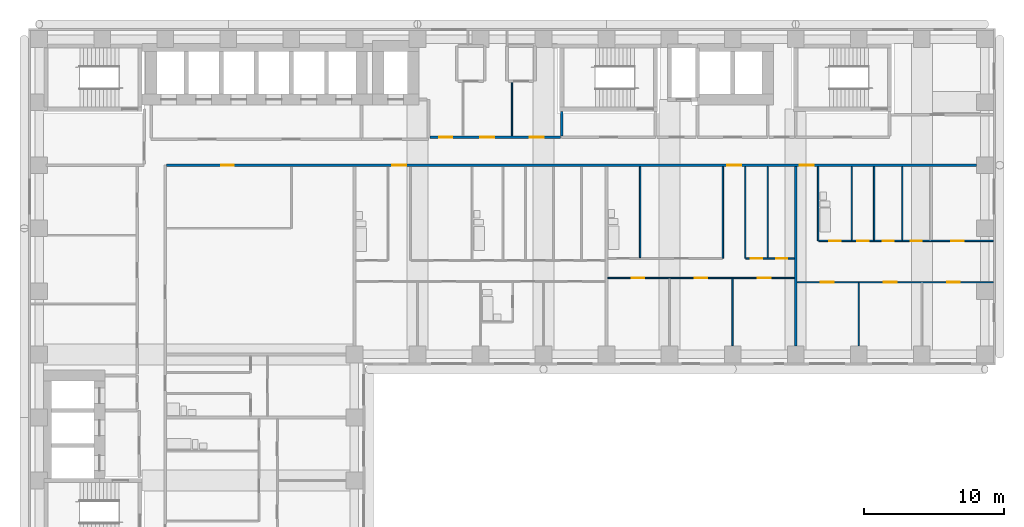
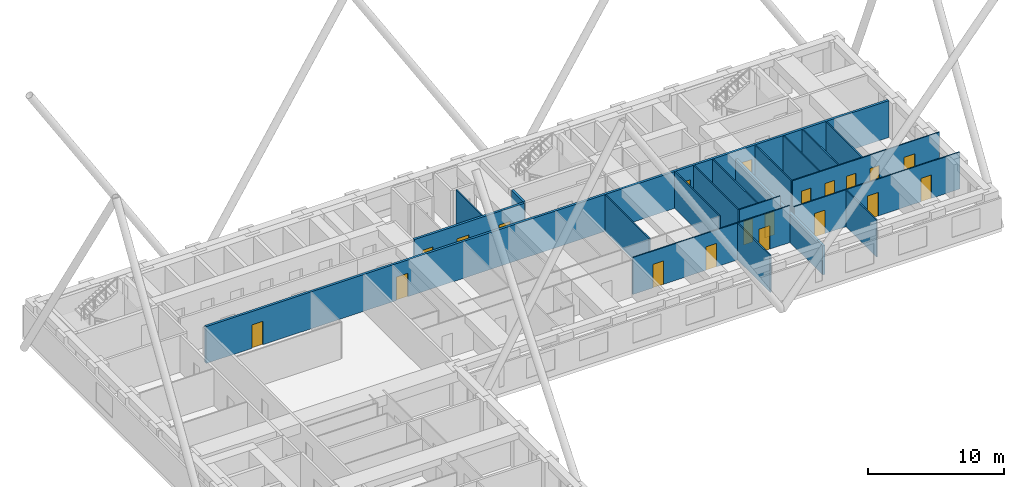
# One storey, part 8 of 13: 20 doors, 19 walls, 20 openings.
"""IFC4 building model written with IfcOpenShell, lengths in metres."""

from ifc_helpers import new_model, si_unit, direction, frame, frame_2d, origin, place, context, subcontext, project, spatial, rectangle, extrude, material, layer, layer_set, type_object, element, fill, save


model = new_model("IFC4")

# Units and contexts
model_context = context("Model", 3, precision=1e-05, world=origin(), true_north=direction((0.0, 1.0)))
body_context = subcontext(model_context, "Body", "Model", "MODEL_VIEW")
ifc_project = project(units=[si_unit("LENGTHUNIT", "METRE"), si_unit("AREAUNIT", "SQUARE_METRE"), si_unit("VOLUMEUNIT", "CUBIC_METRE"), si_unit("PLANEANGLEUNIT", "RADIAN"), si_unit("MASSUNIT", "GRAM", prefix="KILO")], contexts=[model_context])

# Site, building, storey
site_placement = place(None, origin())
site = spatial("IfcSite", under=ifc_project, at=site_placement, CompositionType="ELEMENT")
building_placement = place(site_placement, origin())
building = spatial("IfcBuilding", under=site, at=building_placement, Name="Firuza Court", CompositionType="ELEMENT")
storey_placement = place(building_placement, frame((0.0, 0.0, 50.60009765625)))
storey = spatial("IfcBuildingStorey", under=building, at=storey_placement, Name="L11", CompositionType="ELEMENT", Elevation=50.60009765625)

# Walls
ifc_material_1 = material(Name="Moisture-resistant gypsum board partition")
ifc_layer_1 = layer(ifc_material_1, 0.10009765625)
ifc_layer_set_1 = layer_set([ifc_layer_1], Name="Moisture-resistant gypsum board partition")
wall_type_1 = type_object("IfcWallType", Name="Bathroom partition 100", PredefinedType="PLUMBINGWALL", material=ifc_layer_set_1)
wall_1_placement = place(storey_placement, frame((42.89990234375, 42.89990234375, 0.0), z_axis=(0.0, 0.0, 1.0), x_axis=(0.0, 1.0, 0.0)))
element("IfcWall", 1, at=wall_1_placement, inside=storey, type_object=wall_type_1, Name="Bathroom partition 100 L11", PredefinedType="PLUMBINGWALL", context=body_context, shape_type="SweptSolid", body=[
    extrude(rectangle(XDim=6.5, YDim=0.10009765625, at=frame_2d((3.25, 0.0))), origin(), (0.0, 0.0, 1.0), 3.2998046875),
])
wall_2_placement = place(storey_placement, frame((55.60009765625, 44.10009765625, 0.0), z_axis=(0.0, 0.0, 1.0), x_axis=(0.0, 1.0, 0.0)))
element("IfcWall", 2, at=wall_2_placement, inside=storey, type_object=wall_type_1, Name="Bathroom partition 100 L11", PredefinedType="PLUMBINGWALL", context=body_context, shape_type="SweptSolid", body=[
    extrude(rectangle(XDim=5.2998046875, YDim=0.10009765625, at=frame_2d((2.64990234375, 0.0))), origin(), (0.0, 0.0, 1.0), 3.2998046875),
])
wall_3_placement = place(storey_placement, frame((58.0, 44.14990234375, 0.0), z_axis=(0.0, 0.0, 1.0), x_axis=(0.0, 1.0, 0.0)))
element("IfcWall", 3, at=wall_3_placement, inside=storey, type_object=wall_type_1, Name="Bathroom partition 100 L11", PredefinedType="PLUMBINGWALL", context=body_context, shape_type="SweptSolid", body=[
    extrude(rectangle(XDim=5.25, YDim=0.10009765625, at=frame_2d((2.625, 0.0))), origin(), (0.0, 0.0, 1.0), 3.2998046875),
])

# Wall, openings, doors
ifc_material_2 = material(Name="Blockwork, plastered both sides", Category="masonry")
ifc_layer_2 = layer(ifc_material_2, 0.199951171875)
ifc_layer_set_2 = layer_set([ifc_layer_2], Name="Blockwork, plastered both sides")
wall_type_2 = type_object("IfcWallType", Name="Corridor wall 200", PredefinedType="PARTITIONING", material=ifc_layer_set_2)
wall_4_placement = place(storey_placement, frame((9.10009765625, 49.5, 0.0), z_axis=(0.0, 0.0, 1.0), x_axis=(1.0, 0.0, 0.0)))
wall_4 = element("IfcWall", 4, at=wall_4_placement, inside=storey, type_object=wall_type_2, Name="Corridor wall 200 L11", PredefinedType="PARTITIONING", context=body_context, shape_type="SweptSolid", body=[
    extrude(rectangle(XDim=57.7998046875, YDim=0.199951171875, at=frame_2d((28.89990234375, 0.0))), origin(), (0.0, 0.0, 1.0), 3.2998046875),
])
opening_1_placement = place(wall_4_placement, frame((16.10009765625, 0.0, 0.0)))
opening_1 = element("IfcOpeningElement", 5, at=opening_1_placement, cuts=wall_4, Name="Opening D11070", PredefinedType="OPENING", context=body_context, shape_type="SweptSolid", body=[
    extrude(rectangle(XDim=1.0, YDim=2.10009765625, at=frame_2d((0.5, 1.050048828125))), frame((0.0, 0.11181640625, 0.0), z_axis=(0.0, -1.0, 0.0), x_axis=(1.0, 0.0, 0.0)), (0.0, 0.0, 1.0), 0.223876953125),
])
opening_2_placement = place(wall_4_placement, frame((40.0, 0.0, 0.0)))
opening_2 = element("IfcOpeningElement", 6, at=opening_2_placement, cuts=wall_4, Name="Opening D11071", PredefinedType="OPENING", context=body_context, shape_type="SweptSolid", body=[
    extrude(rectangle(XDim=1.0, YDim=2.10009765625, at=frame_2d((0.5, 1.050048828125))), frame((0.0, 0.11181640625, 0.0), z_axis=(0.0, -1.0, 0.0), x_axis=(1.0, 0.0, 0.0)), (0.0, 0.0, 1.0), 0.223876953125),
])
opening_3_placement = place(wall_4_placement, frame((45.199951171875, 0.0, 0.0)))
opening_3 = element("IfcOpeningElement", 7, at=opening_3_placement, cuts=wall_4, Name="Opening D11072", PredefinedType="OPENING", context=body_context, shape_type="SweptSolid", body=[
    extrude(rectangle(XDim=1.0, YDim=2.10009765625, at=frame_2d((0.5, 1.050048828125))), frame((0.0, 0.11181640625, 0.0), z_axis=(0.0, -1.0, 0.0), x_axis=(1.0, 0.0, 0.0)), (0.0, 0.0, 1.0), 0.223876953125),
])
opening_4_placement = place(wall_4_placement, frame((3.89990234375, 0.0, 0.0)))
opening_4 = element("IfcOpeningElement", 8, at=opening_4_placement, cuts=wall_4, Name="Opening D11073", PredefinedType="OPENING", context=body_context, shape_type="SweptSolid", body=[
    extrude(rectangle(XDim=0.89990234375, YDim=2.10009765625, at=frame_2d((0.449951171875, 1.050048828125))), frame((0.0, 0.11181640625, 0.0), z_axis=(0.0, -1.0, 0.0), x_axis=(1.0, 0.0, 0.0)), (0.0, 0.0, 1.0), 0.223876953125),
])
ifc_material_3 = material(Name="Timber door leaf in hardwood frame", Category="wood")
door_type_1 = type_object("IfcDoorType", Name="Flat entrance door 1000", OperationType="SINGLE_SWING_LEFT", PredefinedType="DOOR", material=ifc_material_3)
door_1_placement = place(opening_1_placement, origin())
door_1 = element("IfcDoor", 9, at=door_1_placement, inside=storey, type_object=door_type_1, Name="Flat entrance door", OperationType="SINGLE_SWING_LEFT", OverallHeight=2.10009765625, OverallWidth=1.0, PredefinedType="DOOR", context=body_context, shape_type="SweptSolid", body=[
    extrude(rectangle(XDim=1.0, YDim=2.10009765625, at=frame_2d((0.5, 1.050048828125))), frame((0.0, 0.02490234375, 0.0), z_axis=(0.0, -1.0, 0.0), x_axis=(1.0, 0.0, 0.0)), (0.0, 0.0, 1.0), 0.050048828125),
])
fill(opening_1, door_1)
door_2_placement = place(opening_2_placement, origin())
door_2 = element("IfcDoor", 10, at=door_2_placement, inside=storey, type_object=door_type_1, Name="Flat entrance door", OperationType="SINGLE_SWING_LEFT", OverallHeight=2.10009765625, OverallWidth=1.0, PredefinedType="DOOR", context=body_context, shape_type="SweptSolid", body=[
    extrude(rectangle(XDim=1.0, YDim=2.10009765625, at=frame_2d((0.5, 1.050048828125))), frame((0.0, 0.02490234375, 0.0), z_axis=(0.0, -1.0, 0.0), x_axis=(1.0, 0.0, 0.0)), (0.0, 0.0, 1.0), 0.050048828125),
])
fill(opening_2, door_2)
door_3_placement = place(opening_3_placement, origin())
door_3 = element("IfcDoor", 11, at=door_3_placement, inside=storey, type_object=door_type_1, Name="Flat entrance door", OperationType="SINGLE_SWING_LEFT", OverallHeight=2.10009765625, OverallWidth=1.0, PredefinedType="DOOR", context=body_context, shape_type="SweptSolid", body=[
    extrude(rectangle(XDim=1.0, YDim=2.10009765625, at=frame_2d((0.5, 1.050048828125))), frame((0.0, 0.02490234375, 0.0), z_axis=(0.0, -1.0, 0.0), x_axis=(1.0, 0.0, 0.0)), (0.0, 0.0, 1.0), 0.050048828125),
])
fill(opening_3, door_3)
ifc_material_4 = material(Name="Timber door leaf in hardwood frame", Category="wood")
door_type_2 = type_object("IfcDoorType", Name="Room door 900 EI 30", OperationType="SINGLE_SWING_LEFT", PredefinedType="DOOR", material=ifc_material_4)
door_4_placement = place(opening_4_placement, origin())
door_4 = element("IfcDoor", 12, at=door_4_placement, inside=storey, type_object=door_type_2, Name="Fitness studio door", OperationType="SINGLE_SWING_LEFT", OverallHeight=2.10009765625, OverallWidth=0.89990234375, PredefinedType="DOOR", context=body_context, shape_type="SweptSolid", body=[
    extrude(rectangle(XDim=0.89990234375, YDim=2.10009765625, at=frame_2d((0.449951171875, 1.050048828125))), frame((0.0, 0.02490234375, 0.0), z_axis=(0.0, -1.0, 0.0), x_axis=(1.0, 0.0, 0.0)), (0.0, 0.0, 1.0), 0.050048828125),
])
fill(opening_4, door_4)

wall_5_placement = place(storey_placement, frame((27.89990234375, 51.5, 0.0), z_axis=(0.0, 0.0, 1.0), x_axis=(1.0, 0.0, 0.0)))
wall_5 = element("IfcWall", 13, at=wall_5_placement, inside=storey, type_object=wall_type_2, Name="Corridor wall 200 L11", PredefinedType="PARTITIONING", context=body_context, shape_type="SweptSolid", body=[
    extrude(rectangle(XDim=9.300048828125, YDim=0.199951171875, at=frame_2d((4.64990234375, 0.0))), origin(), (0.0, 0.0, 1.0), 3.2998046875),
])
opening_5_placement = place(wall_5_placement, frame((0.675048828125, 0.0, 0.0)))
opening_5 = element("IfcOpeningElement", 14, at=opening_5_placement, cuts=wall_5, Name="Opening D11074", PredefinedType="OPENING", context=body_context, shape_type="SweptSolid", body=[
    extrude(rectangle(XDim=0.89990234375, YDim=2.10009765625, at=frame_2d((0.449951171875, 1.050048828125))), frame((0.0, 0.11181640625, 0.0), z_axis=(0.0, -1.0, 0.0), x_axis=(1.0, 0.0, 0.0)), (0.0, 0.0, 1.0), 0.223876953125),
])
opening_6_placement = place(wall_5_placement, frame((3.60009765625, 0.0, 0.0)))
opening_6 = element("IfcOpeningElement", 15, at=opening_6_placement, cuts=wall_5, Name="Opening D11075", PredefinedType="OPENING", context=body_context, shape_type="SweptSolid", body=[
    extrude(rectangle(XDim=1.0, YDim=2.10009765625, at=frame_2d((0.5, 1.050048828125))), frame((0.0, 0.11181640625, 0.0), z_axis=(0.0, -1.0, 0.0), x_axis=(1.0, 0.0, 0.0)), (0.0, 0.0, 1.0), 0.223876953125),
])
opening_7_placement = place(wall_5_placement, frame((7.125, 0.0, 0.0)))
opening_7 = element("IfcOpeningElement", 16, at=opening_7_placement, cuts=wall_5, Name="Opening D11076", PredefinedType="OPENING", context=body_context, shape_type="SweptSolid", body=[
    extrude(rectangle(XDim=1.0, YDim=2.10009765625, at=frame_2d((0.5, 1.050048828125))), frame((0.0, 0.11181640625, 0.0), z_axis=(0.0, -1.0, 0.0), x_axis=(1.0, 0.0, 0.0)), (0.0, 0.0, 1.0), 0.223876953125),
])
door_5_placement = place(opening_5_placement, origin())
door_5 = element("IfcDoor", 17, at=door_5_placement, inside=storey, type_object=door_type_2, Name="Residents' workroom door", OperationType="SINGLE_SWING_LEFT", OverallHeight=2.10009765625, OverallWidth=0.89990234375, PredefinedType="DOOR", context=body_context, shape_type="SweptSolid", body=[
    extrude(rectangle(XDim=0.89990234375, YDim=2.10009765625, at=frame_2d((0.449951171875, 1.050048828125))), frame((0.0, 0.02490234375, 0.0), z_axis=(0.0, -1.0, 0.0), x_axis=(1.0, 0.0, 0.0)), (0.0, 0.0, 1.0), 0.050048828125),
])
fill(opening_5, door_5)
ifc_material_5 = material(Name="Timber door leaf in hardwood frame", Category="wood")
door_type_3 = type_object("IfcDoorType", Name="Store door 1000", OperationType="SINGLE_SWING_LEFT", PredefinedType="DOOR", material=ifc_material_5)
door_6_placement = place(opening_6_placement, origin())
door_6 = element("IfcDoor", 18, at=door_6_placement, inside=storey, type_object=door_type_3, Name="Refuse store door", OperationType="SINGLE_SWING_LEFT", OverallHeight=2.10009765625, OverallWidth=1.0, PredefinedType="DOOR", context=body_context, shape_type="SweptSolid", body=[
    extrude(rectangle(XDim=1.0, YDim=2.10009765625, at=frame_2d((0.5, 1.050048828125))), frame((0.0, 0.02490234375, 0.0), z_axis=(0.0, -1.0, 0.0), x_axis=(1.0, 0.0, 0.0)), (0.0, 0.0, 1.0), 0.050048828125),
])
fill(opening_6, door_6)
door_7_placement = place(opening_7_placement, origin())
door_7 = element("IfcDoor", 19, at=door_7_placement, inside=storey, type_object=door_type_3, Name="Cleaner's store door", OperationType="SINGLE_SWING_LEFT", OverallHeight=2.10009765625, OverallWidth=1.0, PredefinedType="DOOR", context=body_context, shape_type="SweptSolid", body=[
    extrude(rectangle(XDim=1.0, YDim=2.10009765625, at=frame_2d((0.5, 1.050048828125))), frame((0.0, 0.02490234375, 0.0), z_axis=(0.0, -1.0, 0.0), x_axis=(1.0, 0.0, 0.0)), (0.0, 0.0, 1.0), 0.050048828125),
])
fill(opening_7, door_7)

# Walls
ifc_material_6 = material(Name="Timber stud partition, plasterboard both sides", Category="wood")
ifc_layer_3 = layer(ifc_material_6, 0.10009765625)
ifc_layer_set_3 = layer_set([ifc_layer_3], Name="Timber stud partition, plasterboard both sides")
wall_type_3 = type_object("IfcWallType", Name="Partition wall 100", PredefinedType="PARTITIONING", material=ifc_layer_set_3)
wall_6_placement = place(storey_placement, frame((49.5, 36.60009765625, 0.0), z_axis=(0.0, 0.0, 1.0), x_axis=(0.0, 1.0, 0.0)))
element("IfcWall", 20, at=wall_6_placement, inside=storey, type_object=wall_type_3, Name="Partition wall 100 L11", PredefinedType="PARTITIONING", context=body_context, shape_type="SweptSolid", body=[
    extrude(rectangle(XDim=4.7998046875, YDim=0.10009765625, at=frame_2d((2.39990234375, 0.0))), origin(), (0.0, 0.0, 1.0), 3.2998046875),
])
wall_7_placement = place(storey_placement, frame((58.5, 36.60009765625, 0.0), z_axis=(0.0, 0.0, 1.0), x_axis=(0.0, 1.0, 0.0)))
element("IfcWall", 21, at=wall_7_placement, inside=storey, type_object=wall_type_3, Name="Partition wall 100 L11", PredefinedType="PARTITIONING", context=body_context, shape_type="SweptSolid", body=[
    extrude(rectangle(XDim=4.5, YDim=0.10009765625, at=frame_2d((2.25, 0.0))), origin(), (0.0, 0.0, 1.0), 3.2998046875),
])

# Wall, openings, doors
wall_8_placement = place(storey_placement, frame((54.10009765625, 41.14990234375, 0.0), z_axis=(0.0, 0.0, 1.0), x_axis=(1.0, 0.0, 0.0)))
wall_8 = element("IfcWall", 22, at=wall_8_placement, inside=storey, type_object=wall_type_3, Name="Partition wall 100 L11", PredefinedType="PARTITIONING", context=body_context, shape_type="SweptSolid", body=[
    extrude(rectangle(XDim=14.0, YDim=0.10009765625, at=frame_2d((7.0, 0.0))), origin(), (0.0, 0.0, 1.0), 3.2998046875),
])
opening_8_placement = place(wall_8_placement, frame((1.699951171875, 0.0, 0.0)))
opening_8 = element("IfcOpeningElement", 23, at=opening_8_placement, cuts=wall_8, Name="Opening D11044", PredefinedType="OPENING", context=body_context, shape_type="SweptSolid", body=[
    extrude(rectangle(XDim=0.89990234375, YDim=2.10009765625, at=frame_2d((0.449951171875, 1.050048828125))), frame((0.0, 0.06201171875, 0.0), z_axis=(0.0, -1.0, 0.0), x_axis=(1.0, 0.0, 0.0)), (0.0, 0.0, 1.0), 0.1240234375),
])
opening_9_placement = place(wall_8_placement, frame((6.199951171875, 0.0, 0.0)))
opening_9 = element("IfcOpeningElement", 24, at=opening_9_placement, cuts=wall_8, Name="Opening D11045", PredefinedType="OPENING", context=body_context, shape_type="SweptSolid", body=[
    extrude(rectangle(XDim=0.89990234375, YDim=2.10009765625, at=frame_2d((0.449951171875, 1.050048828125))), frame((0.0, 0.06201171875, 0.0), z_axis=(0.0, -1.0, 0.0), x_axis=(1.0, 0.0, 0.0)), (0.0, 0.0, 1.0), 0.1240234375),
])
opening_10_placement = place(wall_8_placement, frame((10.699951171875, 0.0, 0.0)))
opening_10 = element("IfcOpeningElement", 25, at=opening_10_placement, cuts=wall_8, Name="Opening D11046", PredefinedType="OPENING", context=body_context, shape_type="SweptSolid", body=[
    extrude(rectangle(XDim=0.89990234375, YDim=2.10009765625, at=frame_2d((0.449951171875, 1.050048828125))), frame((0.0, 0.06201171875, 0.0), z_axis=(0.0, -1.0, 0.0), x_axis=(1.0, 0.0, 0.0)), (0.0, 0.0, 1.0), 0.1240234375),
])
ifc_material_7 = material(Name="Timber door leaf in hardwood frame", Category="wood")
door_type_4 = type_object("IfcDoorType", Name="Room door 900", OperationType="SINGLE_SWING_LEFT", PredefinedType="DOOR", material=ifc_material_7)
door_8_placement = place(opening_8_placement, frame((0.89990234375, 0.0, 0.0), z_axis=(0.0, 0.0, 1.0), x_axis=(-1.0, 0.0, 0.0)))
door_8 = element("IfcDoor", 26, at=door_8_placement, inside=storey, type_object=door_type_4, Name="Living room door", OperationType="SINGLE_SWING_RIGHT", OverallHeight=2.10009765625, OverallWidth=0.89990234375, PredefinedType="DOOR", context=body_context, shape_type="SweptSolid", body=[
    extrude(rectangle(XDim=0.89990234375, YDim=2.10009765625, at=frame_2d((0.449951171875, 1.050048828125))), frame((0.0, 0.02490234375, 0.0), z_axis=(0.0, -1.0, 0.0), x_axis=(1.0, 0.0, 0.0)), (0.0, 0.0, 1.0), 0.050048828125),
])
fill(opening_8, door_8)
door_9_placement = place(opening_9_placement, frame((0.89990234375, 0.0, 0.0), z_axis=(0.0, 0.0, 1.0), x_axis=(-1.0, 0.0, 0.0)))
door_9 = element("IfcDoor", 27, at=door_9_placement, inside=storey, type_object=door_type_4, Name="Bedroom door", OperationType="SINGLE_SWING_RIGHT", OverallHeight=2.10009765625, OverallWidth=0.89990234375, PredefinedType="DOOR", context=body_context, shape_type="SweptSolid", body=[
    extrude(rectangle(XDim=0.89990234375, YDim=2.10009765625, at=frame_2d((0.449951171875, 1.050048828125))), frame((0.0, 0.02490234375, 0.0), z_axis=(0.0, -1.0, 0.0), x_axis=(1.0, 0.0, 0.0)), (0.0, 0.0, 1.0), 0.050048828125),
])
fill(opening_9, door_9)
door_10_placement = place(opening_10_placement, frame((0.89990234375, 0.0, 0.0), z_axis=(0.0, 0.0, 1.0), x_axis=(-1.0, 0.0, 0.0)))
door_10 = element("IfcDoor", 28, at=door_10_placement, inside=storey, type_object=door_type_4, Name="Bedroom door", OperationType="SINGLE_SWING_LEFT", OverallHeight=2.10009765625, OverallWidth=0.89990234375, PredefinedType="DOOR", context=body_context, shape_type="SweptSolid", body=[
    extrude(rectangle(XDim=0.89990234375, YDim=2.10009765625, at=frame_2d((0.449951171875, 1.050048828125))), frame((0.0, 0.02490234375, 0.0), z_axis=(0.0, -1.0, 0.0), x_axis=(1.0, 0.0, 0.0)), (0.0, 0.0, 1.0), 0.050048828125),
])
fill(opening_10, door_10)

wall_9_placement = place(storey_placement, frame((40.60009765625, 41.449951171875, 0.0), z_axis=(0.0, 0.0, 1.0), x_axis=(1.0, 0.0, 0.0)))
wall_9 = element("IfcWall", 29, at=wall_9_placement, inside=storey, type_object=wall_type_3, Name="Partition wall 100 L11", PredefinedType="PARTITIONING", context=body_context, shape_type="SweptSolid", body=[
    extrude(rectangle(XDim=13.2998046875, YDim=0.10009765625, at=frame_2d((6.64990234375, 0.0))), origin(), (0.0, 0.0, 1.0), 3.2998046875),
])
opening_11_placement = place(wall_9_placement, frame((1.699951171875, 0.0, 0.0)))
opening_11 = element("IfcOpeningElement", 30, at=opening_11_placement, cuts=wall_9, Name="Opening D11051", PredefinedType="OPENING", context=body_context, shape_type="SweptSolid", body=[
    extrude(rectangle(XDim=0.89990234375, YDim=2.10009765625, at=frame_2d((0.449951171875, 1.050048828125))), frame((0.0, 0.06201171875, 0.0), z_axis=(0.0, -1.0, 0.0), x_axis=(1.0, 0.0, 0.0)), (0.0, 0.0, 1.0), 0.1240234375),
])
opening_12_placement = place(wall_9_placement, frame((6.199951171875, 0.0, 0.0)))
opening_12 = element("IfcOpeningElement", 31, at=opening_12_placement, cuts=wall_9, Name="Opening D11052", PredefinedType="OPENING", context=body_context, shape_type="SweptSolid", body=[
    extrude(rectangle(XDim=0.89990234375, YDim=2.10009765625, at=frame_2d((0.449951171875, 1.050048828125))), frame((0.0, 0.06201171875, 0.0), z_axis=(0.0, -1.0, 0.0), x_axis=(1.0, 0.0, 0.0)), (0.0, 0.0, 1.0), 0.1240234375),
])
opening_13_placement = place(wall_9_placement, frame((10.699951171875, 0.0, 0.0)))
opening_13 = element("IfcOpeningElement", 32, at=opening_13_placement, cuts=wall_9, Name="Opening D11053", PredefinedType="OPENING", context=body_context, shape_type="SweptSolid", body=[
    extrude(rectangle(XDim=0.89990234375, YDim=2.10009765625, at=frame_2d((0.449951171875, 1.050048828125))), frame((0.0, 0.06201171875, 0.0), z_axis=(0.0, -1.0, 0.0), x_axis=(1.0, 0.0, 0.0)), (0.0, 0.0, 1.0), 0.1240234375),
])
door_11_placement = place(opening_11_placement, frame((0.89990234375, 0.0, 0.0), z_axis=(0.0, 0.0, 1.0), x_axis=(-1.0, 0.0, 0.0)))
door_11 = element("IfcDoor", 33, at=door_11_placement, inside=storey, type_object=door_type_4, Name="Bedroom door", OperationType="SINGLE_SWING_RIGHT", OverallHeight=2.10009765625, OverallWidth=0.89990234375, PredefinedType="DOOR", context=body_context, shape_type="SweptSolid", body=[
    extrude(rectangle(XDim=0.89990234375, YDim=2.10009765625, at=frame_2d((0.449951171875, 1.050048828125))), frame((0.0, 0.02490234375, 0.0), z_axis=(0.0, -1.0, 0.0), x_axis=(1.0, 0.0, 0.0)), (0.0, 0.0, 1.0), 0.050048828125),
])
fill(opening_11, door_11)
door_12_placement = place(opening_12_placement, frame((0.89990234375, 0.0, 0.0), z_axis=(0.0, 0.0, 1.0), x_axis=(-1.0, 0.0, 0.0)))
door_12 = element("IfcDoor", 34, at=door_12_placement, inside=storey, type_object=door_type_4, Name="Living room door", OperationType="SINGLE_SWING_RIGHT", OverallHeight=2.10009765625, OverallWidth=0.89990234375, PredefinedType="DOOR", context=body_context, shape_type="SweptSolid", body=[
    extrude(rectangle(XDim=0.89990234375, YDim=2.10009765625, at=frame_2d((0.449951171875, 1.050048828125))), frame((0.0, 0.02490234375, 0.0), z_axis=(0.0, -1.0, 0.0), x_axis=(1.0, 0.0, 0.0)), (0.0, 0.0, 1.0), 0.050048828125),
])
fill(opening_12, door_12)
door_13_placement = place(opening_13_placement, frame((0.89990234375, 0.0, 0.0), z_axis=(0.0, 0.0, 1.0), x_axis=(-1.0, 0.0, 0.0)))
door_13 = element("IfcDoor", 35, at=door_13_placement, inside=storey, type_object=door_type_4, Name="Bedroom door", OperationType="SINGLE_SWING_RIGHT", OverallHeight=2.10009765625, OverallWidth=0.89990234375, PredefinedType="DOOR", context=body_context, shape_type="SweptSolid", body=[
    extrude(rectangle(XDim=0.89990234375, YDim=2.10009765625, at=frame_2d((0.449951171875, 1.050048828125))), frame((0.0, 0.02490234375, 0.0), z_axis=(0.0, -1.0, 0.0), x_axis=(1.0, 0.0, 0.0)), (0.0, 0.0, 1.0), 0.050048828125),
])
fill(opening_13, door_13)

# Walls
for number, where, z_axis, x_axis, name in (
    (36, (48.800048828125, 42.85009765625, 0.0), (0.0, 0.0, 1.0), (0.0, 1.0, 0.0), "Partition wall 100 L11"),
    (37, (50.39990234375, 42.85009765625, 0.0), (0.0, 0.0, 1.0), (0.0, 1.0, 0.0), "Partition wall 100 L11"),
):
    element("IfcWall", number, at=place(storey_placement, frame(where, z_axis=z_axis, x_axis=x_axis)), inside=storey, type_object=wall_type_3, Name=name, PredefinedType="PARTITIONING", context=body_context, shape_type="SweptSolid", body=[
        extrude(rectangle(XDim=6.5498046875, YDim=0.10009765625, at=frame_2d((3.27490234375, 0.0))), origin(), (0.0, 0.0, 1.0), 3.2998046875),
    ])

# Wall, openings, doors
wall_10_placement = place(storey_placement, frame((50.449951171875, 42.85009765625, 0.0), z_axis=(0.0, 0.0, 1.0), x_axis=(1.0, 0.0, 0.0)))
wall_10 = element("IfcWall", 38, at=wall_10_placement, inside=storey, type_object=wall_type_3, Name="Partition wall 100 L11", PredefinedType="PARTITIONING", context=body_context, shape_type="SweptSolid", body=[
    extrude(rectangle(XDim=3.449951171875, YDim=0.10009765625, at=frame_2d((1.72509765625, 0.0))), origin(), (0.0, 0.0, 1.0), 3.2998046875),
])
opening_14_placement = place(wall_10_placement, frame((0.35009765625, 0.0, 0.0)))
opening_14 = element("IfcOpeningElement", 39, at=opening_14_placement, cuts=wall_10, Name="Opening D11063", PredefinedType="OPENING", context=body_context, shape_type="SweptSolid", body=[
    extrude(rectangle(XDim=0.800048828125, YDim=2.10009765625, at=frame_2d((0.39990234375, 1.050048828125))), frame((0.0, 0.06201171875, 0.0), z_axis=(0.0, -1.0, 0.0), x_axis=(1.0, 0.0, 0.0)), (0.0, 0.0, 1.0), 0.1240234375),
])
opening_15_placement = place(wall_10_placement, frame((2.14990234375, 0.0, 0.0)))
opening_15 = element("IfcOpeningElement", 40, at=opening_15_placement, cuts=wall_10, Name="Opening D11064", PredefinedType="OPENING", context=body_context, shape_type="SweptSolid", body=[
    extrude(rectangle(XDim=0.800048828125, YDim=2.10009765625, at=frame_2d((0.39990234375, 1.050048828125))), frame((0.0, 0.06201171875, 0.0), z_axis=(0.0, -1.0, 0.0), x_axis=(1.0, 0.0, 0.0)), (0.0, 0.0, 1.0), 0.1240234375),
])
ifc_material_8 = material(Name="Timber door leaf in hardwood frame", Category="wood")
door_type_5 = type_object("IfcDoorType", Name="Room door 800", OperationType="SINGLE_SWING_LEFT", PredefinedType="DOOR", material=ifc_material_8)
door_14_placement = place(opening_14_placement, origin())
door_14 = element("IfcDoor", 41, at=door_14_placement, inside=storey, type_object=door_type_5, Name="Store door", OperationType="SINGLE_SWING_LEFT", OverallHeight=2.10009765625, OverallWidth=0.800048828125, PredefinedType="DOOR", context=body_context, shape_type="SweptSolid", body=[
    extrude(rectangle(XDim=0.800048828125, YDim=2.10009765625, at=frame_2d((0.39990234375, 1.050048828125))), frame((0.0, 0.02490234375, 0.0), z_axis=(0.0, -1.0, 0.0), x_axis=(1.0, 0.0, 0.0)), (0.0, 0.0, 1.0), 0.050048828125),
])
fill(opening_14, door_14)
door_15_placement = place(opening_15_placement, origin())
door_15 = element("IfcDoor", 42, at=door_15_placement, inside=storey, type_object=door_type_5, Name="Utility room door", OperationType="SINGLE_SWING_LEFT", OverallHeight=2.10009765625, OverallWidth=0.800048828125, PredefinedType="DOOR", context=body_context, shape_type="SweptSolid", body=[
    extrude(rectangle(XDim=0.800048828125, YDim=2.10009765625, at=frame_2d((0.39990234375, 1.050048828125))), frame((0.0, 0.02490234375, 0.0), z_axis=(0.0, -1.0, 0.0), x_axis=(1.0, 0.0, 0.0)), (0.0, 0.0, 1.0), 0.050048828125),
])
fill(opening_15, door_15)

# Wall
wall_11_placement = place(storey_placement, frame((52.0, 42.89990234375, 0.0), z_axis=(0.0, 0.0, 1.0), x_axis=(0.0, 1.0, 0.0)))
element("IfcWall", 43, at=wall_11_placement, inside=storey, type_object=wall_type_3, Name="Partition wall 100 L11", PredefinedType="PARTITIONING", context=body_context, shape_type="SweptSolid", body=[
    extrude(rectangle(XDim=6.5, YDim=0.10009765625, at=frame_2d((3.25, 0.0))), origin(), (0.0, 0.0, 1.0), 3.2998046875),
])

# Wall, openings, doors
wall_12_placement = place(storey_placement, frame((55.64990234375, 44.10009765625, 0.0), z_axis=(0.0, 0.0, 1.0), x_axis=(1.0, 0.0, 0.0)))
wall_12 = element("IfcWall", 44, at=wall_12_placement, inside=storey, type_object=wall_type_3, Name="Partition wall 100 L11", PredefinedType="PARTITIONING", context=body_context, shape_type="SweptSolid", body=[
    extrude(rectangle(XDim=12.4501953125, YDim=0.10009765625, at=frame_2d((6.22509765625, 0.0))), origin(), (0.0, 0.0, 1.0), 3.2998046875),
])
opening_16_placement = place(wall_12_placement, frame((0.75, 0.0, 0.0)))
opening_16 = element("IfcOpeningElement", 45, at=opening_16_placement, cuts=wall_12, Name="Opening D11065", PredefinedType="OPENING", context=body_context, shape_type="SweptSolid", body=[
    extrude(rectangle(XDim=0.800048828125, YDim=2.10009765625, at=frame_2d((0.39990234375, 1.050048828125))), frame((0.0, 0.06201171875, 0.0), z_axis=(0.0, -1.0, 0.0), x_axis=(1.0, 0.0, 0.0)), (0.0, 0.0, 1.0), 0.1240234375),
])
opening_17_placement = place(wall_12_placement, frame((9.449951171875, 0.0, 0.0)))
opening_17 = element("IfcOpeningElement", 46, at=opening_17_placement, cuts=wall_12, Name="Opening D11066", PredefinedType="OPENING", context=body_context, shape_type="SweptSolid", body=[
    extrude(rectangle(XDim=0.89990234375, YDim=2.10009765625, at=frame_2d((0.449951171875, 1.050048828125))), frame((0.0, 0.06201171875, 0.0), z_axis=(0.0, -1.0, 0.0), x_axis=(1.0, 0.0, 0.0)), (0.0, 0.0, 1.0), 0.1240234375),
])
opening_18_placement = place(wall_12_placement, frame((6.550048828125, 0.0, 0.0)))
opening_18 = element("IfcOpeningElement", 47, at=opening_18_placement, cuts=wall_12, Name="Opening D11067", PredefinedType="OPENING", context=body_context, shape_type="SweptSolid", body=[
    extrude(rectangle(XDim=0.800048828125, YDim=2.10009765625, at=frame_2d((0.39990234375, 1.050048828125))), frame((0.0, 0.06201171875, 0.0), z_axis=(0.0, -1.0, 0.0), x_axis=(1.0, 0.0, 0.0)), (0.0, 0.0, 1.0), 0.1240234375),
])
opening_19_placement = place(wall_12_placement, frame((2.75, 0.0, 0.0)))
opening_19 = element("IfcOpeningElement", 48, at=opening_19_placement, cuts=wall_12, Name="Opening D11068", PredefinedType="OPENING", context=body_context, shape_type="SweptSolid", body=[
    extrude(rectangle(XDim=0.800048828125, YDim=2.10009765625, at=frame_2d((0.39990234375, 1.050048828125))), frame((0.0, 0.06201171875, 0.0), z_axis=(0.0, -1.0, 0.0), x_axis=(1.0, 0.0, 0.0)), (0.0, 0.0, 1.0), 0.1240234375),
])
opening_20_placement = place(wall_12_placement, frame((4.550048828125, 0.0, 0.0)))
opening_20 = element("IfcOpeningElement", 49, at=opening_20_placement, cuts=wall_12, Name="Opening D11069", PredefinedType="OPENING", context=body_context, shape_type="SweptSolid", body=[
    extrude(rectangle(XDim=0.800048828125, YDim=2.10009765625, at=frame_2d((0.39990234375, 1.050048828125))), frame((0.0, 0.06201171875, 0.0), z_axis=(0.0, -1.0, 0.0), x_axis=(1.0, 0.0, 0.0)), (0.0, 0.0, 1.0), 0.1240234375),
])
ifc_material_9 = material(Name="Timber door leaf in hardwood frame", Category="wood")
door_type_6 = type_object("IfcDoorType", Name="Bathroom door 800", OperationType="SINGLE_SWING_LEFT", PredefinedType="DOOR", material=ifc_material_9)
door_16_placement = place(opening_16_placement, origin())
door_16 = element("IfcDoor", 50, at=door_16_placement, inside=storey, type_object=door_type_6, Name="Bathroom door", OperationType="SINGLE_SWING_LEFT", OverallHeight=2.10009765625, OverallWidth=0.800048828125, PredefinedType="DOOR", context=body_context, shape_type="SweptSolid", body=[
    extrude(rectangle(XDim=0.800048828125, YDim=2.10009765625, at=frame_2d((0.39990234375, 1.050048828125))), frame((0.0, 0.02490234375, 0.0), z_axis=(0.0, -1.0, 0.0), x_axis=(1.0, 0.0, 0.0)), (0.0, 0.0, 1.0), 0.050048828125),
])
fill(opening_16, door_16)
door_17_placement = place(opening_18_placement, origin())
door_17 = element("IfcDoor", 51, at=door_17_placement, inside=storey, type_object=door_type_5, Name="Pantry door", OperationType="SINGLE_SWING_LEFT", OverallHeight=2.10009765625, OverallWidth=0.800048828125, PredefinedType="DOOR", context=body_context, shape_type="SweptSolid", body=[
    extrude(rectangle(XDim=0.800048828125, YDim=2.10009765625, at=frame_2d((0.39990234375, 1.050048828125))), frame((0.0, 0.02490234375, 0.0), z_axis=(0.0, -1.0, 0.0), x_axis=(1.0, 0.0, 0.0)), (0.0, 0.0, 1.0), 0.050048828125),
])
fill(opening_18, door_17)
door_18_placement = place(opening_19_placement, origin())
door_18 = element("IfcDoor", 52, at=door_18_placement, inside=storey, type_object=door_type_5, Name="Store door", OperationType="SINGLE_SWING_LEFT", OverallHeight=2.10009765625, OverallWidth=0.800048828125, PredefinedType="DOOR", context=body_context, shape_type="SweptSolid", body=[
    extrude(rectangle(XDim=0.800048828125, YDim=2.10009765625, at=frame_2d((0.39990234375, 1.050048828125))), frame((0.0, 0.02490234375, 0.0), z_axis=(0.0, -1.0, 0.0), x_axis=(1.0, 0.0, 0.0)), (0.0, 0.0, 1.0), 0.050048828125),
])
fill(opening_19, door_18)
door_19_placement = place(opening_20_placement, origin())
door_19 = element("IfcDoor", 53, at=door_19_placement, inside=storey, type_object=door_type_5, Name="Utility room door", OperationType="SINGLE_SWING_LEFT", OverallHeight=2.10009765625, OverallWidth=0.800048828125, PredefinedType="DOOR", context=body_context, shape_type="SweptSolid", body=[
    extrude(rectangle(XDim=0.800048828125, YDim=2.10009765625, at=frame_2d((0.39990234375, 1.050048828125))), frame((0.0, 0.02490234375, 0.0), z_axis=(0.0, -1.0, 0.0), x_axis=(1.0, 0.0, 0.0)), (0.0, 0.0, 1.0), 0.050048828125),
])
fill(opening_20, door_19)
door_20_placement = place(opening_17_placement, origin())
door_20 = element("IfcDoor", 54, at=door_20_placement, inside=storey, type_object=door_type_4, Name="Kitchen door", OperationType="SINGLE_SWING_LEFT", OverallHeight=2.10009765625, OverallWidth=0.89990234375, PredefinedType="DOOR", context=body_context, shape_type="SweptSolid", body=[
    extrude(rectangle(XDim=0.89990234375, YDim=2.10009765625, at=frame_2d((0.449951171875, 1.050048828125))), frame((0.0, 0.02490234375, 0.0), z_axis=(0.0, -1.0, 0.0), x_axis=(1.0, 0.0, 0.0)), (0.0, 0.0, 1.0), 0.050048828125),
])
fill(opening_17, door_20)

# Walls
for number, where, z_axis, x_axis, name in (
    (55, (59.60009765625, 44.14990234375, 0.0), (0.0, 0.0, 1.0), (0.0, 1.0, 0.0), "Partition wall 100 L11"),
    (56, (61.60009765625, 44.14990234375, 0.0), (0.0, 0.0, 1.0), (0.0, 1.0, 0.0), "Partition wall 100 L11"),
):
    element("IfcWall", number, at=place(storey_placement, frame(where, z_axis=z_axis, x_axis=x_axis)), inside=storey, type_object=wall_type_3, Name=name, PredefinedType="PARTITIONING", context=body_context, shape_type="SweptSolid", body=[
        extrude(rectangle(XDim=5.25, YDim=0.10009765625, at=frame_2d((2.625, 0.0))), origin(), (0.0, 0.0, 1.0), 3.2998046875),
    ])
wall_13_placement = place(storey_placement, frame((33.75, 51.60009765625, 0.0), z_axis=(0.0, 0.0, 1.0), x_axis=(0.0, 1.0, 0.0)))
element("IfcWall", 57, at=wall_13_placement, inside=storey, type_object=wall_type_3, Name="Partition wall 100 L11", PredefinedType="PARTITIONING", context=body_context, shape_type="SweptSolid", body=[
    extrude(rectangle(XDim=3.7998046875, YDim=0.10009765625, at=frame_2d((1.89990234375, 0.0))), origin(), (0.0, 0.0, 1.0), 3.2998046875),
])
ifc_layer_4 = layer(ifc_material_2, 0.199951171875)
ifc_layer_set_4 = layer_set([ifc_layer_4], Name="Blockwork, plastered both sides")
wall_type_4 = type_object("IfcWallType", Name="Party wall 200", PredefinedType="PARTITIONING", material=ifc_layer_set_4)
wall_14_placement = place(storey_placement, frame((54.0, 36.60009765625, 0.0), z_axis=(0.0, 0.0, 1.0), x_axis=(0.0, 1.0, 0.0)))
element("IfcWall", 58, at=wall_14_placement, inside=storey, type_object=wall_type_4, Name="Party wall 200 L11", PredefinedType="PARTITIONING", context=body_context, shape_type="SweptSolid", body=[
    extrude(rectangle(XDim=12.7998046875, YDim=0.199951171875, at=frame_2d((6.39990234375, 0.0))), origin(), (0.0, 0.0, 1.0), 2.599853515625),
])
ifc_material_10 = material(Name="Blockwork, fire-rated", Category="masonry")
ifc_layer_5 = layer(ifc_material_10, 0.199951171875)
ifc_layer_set_5 = layer_set([ifc_layer_5], Name="Blockwork, fire-rated")
wall_type_5 = type_object("IfcWallType", Name="Shaft wall 200", PredefinedType="PARTITIONING", material=ifc_layer_set_5)
wall_15_placement = place(storey_placement, frame((37.300048828125, 51.60009765625, 0.0), z_axis=(0.0, 0.0, 1.0), x_axis=(0.0, 1.0, 0.0)))
element("IfcWall", 59, at=wall_15_placement, inside=storey, type_object=wall_type_5, Name="Shaft wall 200 L11", PredefinedType="PARTITIONING", context=body_context, shape_type="SweptSolid", body=[
    extrude(rectangle(XDim=1.72998046875, YDim=0.199951171875, at=frame_2d((0.864990234375, 0.0))), origin(), (0.0, 0.0, 1.0), 3.2998046875),
])

save(model, "model.ifc")
